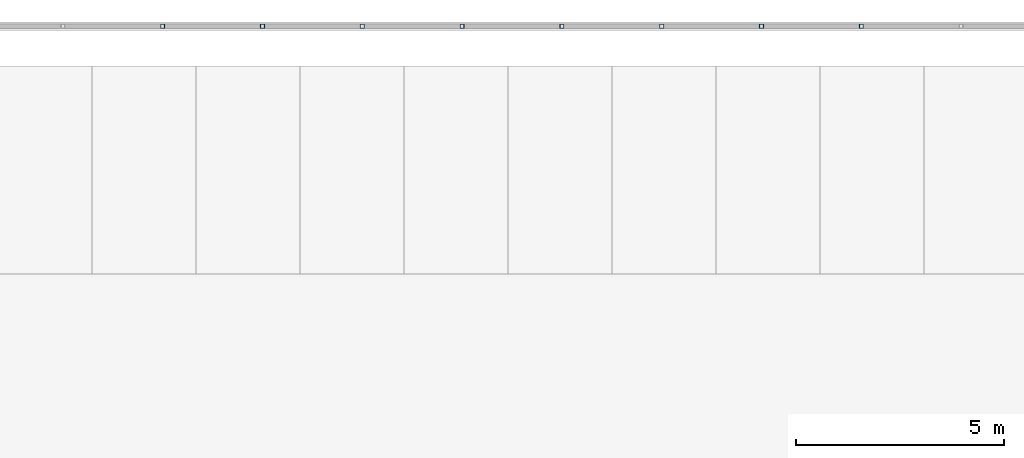
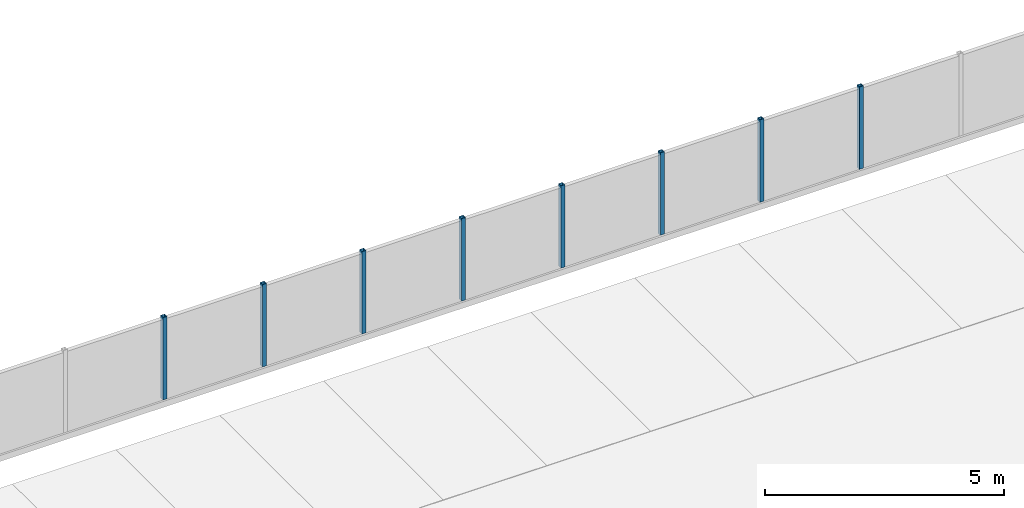
# One storey, part 27 of 129: 8 members.
"""IFC4 building model written with IfcOpenShell, lengths in metres."""

from ifc_helpers import new_model, si_unit, direction, frame, origin, origin_2d, place, context, subcontext, project, spatial, hollow_rectangle, extrude, material, material_profile, profile_set, type_object, element, save


model = new_model("IFC4")

# Units and contexts
model_context = context("Model", 3, precision=1e-05, world=origin(), true_north=direction((0.0, 1.0)))
body_context = subcontext(model_context, "Body", "Model", "MODEL_VIEW")
ifc_project = project(units=[si_unit("LENGTHUNIT", "METRE"), si_unit("AREAUNIT", "SQUARE_METRE"), si_unit("VOLUMEUNIT", "CUBIC_METRE"), si_unit("PLANEANGLEUNIT", "RADIAN"), si_unit("MASSUNIT", "GRAM", prefix="KILO")], contexts=[model_context])

# Site, building, storey
site_placement = place(None, origin())
site = spatial("IfcSite", under=ifc_project, at=site_placement, CompositionType="ELEMENT")
building_placement = place(site_placement, origin())
building = spatial("IfcBuilding", under=site, at=building_placement, Name="Kiln Court Media Centre", CompositionType="ELEMENT")
storey_placement = place(building_placement, origin())
storey = spatial("IfcBuildingStorey", under=building, at=storey_placement, Name="L00", CompositionType="ELEMENT", Elevation=0.0)

# Members
ifc_material = material(Name="Steel ASTM A500 Gr C", Category="steel")
ifc_material_profile = material_profile(ifc_material, hollow_rectangle(XDim=0.10009765625, YDim=0.10009765625, WallThickness=0.00634765625, at=origin_2d()), Name="SHS 100x100x6.3")
ifc_profile_set = profile_set([ifc_material_profile], Name="Steel ASTM A500 Gr C")
member_type = type_object("IfcMemberType", Name="Steel ASTM A500 Gr C fence post SHS 100x100x6.3", PredefinedType="USERDEFINED", material=ifc_profile_set)
for number, where, z_axis, x_axis, name in (
    (1, (84.0, 87.85009765625, -1.050048828125), (0.0, 0.0, 1.0), (1.0, 0.0, 0.0), "Fence post 34"),
    (2, (86.3984375, 87.85009765625, -1.050048828125), (0.0, 0.0, 1.0), (1.0, 0.0, 0.0), "Fence post 35"),
    (3, (88.797119140625, 87.85009765625, -1.050048828125), (0.0, 0.0, 1.0), (1.0, 0.0, 0.0), "Fence post 36"),
    (4, (91.195556640625, 87.85009765625, -1.050048828125), (0.0, 0.0, 1.0), (1.0, 0.0, 0.0), "Fence post 37"),
    (5, (93.593994140625, 87.85009765625, -1.050048828125), (0.0, 0.0, 1.0), (1.0, 0.0, 0.0), "Fence post 38"),
    (6, (95.992431640625, 87.85009765625, -1.050048828125), (0.0, 0.0, 1.0), (1.0, 0.0, 0.0), "Fence post 39"),
    (7, (98.390869140625, 87.85009765625, -1.050048828125), (0.0, 0.0, 1.0), (1.0, 0.0, 0.0), "Fence post 40"),
    (8, (100.789306640625, 87.85009765625, -1.050048828125), (0.0, 0.0, 1.0), (1.0, 0.0, 0.0), "Fence post 41"),
):
    element("IfcMember", number, at=place(storey_placement, frame(where, z_axis=z_axis, x_axis=x_axis)), inside=storey, type_object=member_type, Name=name, ObjectType="FENCE POST", PredefinedType="USERDEFINED", context=body_context, shape_type="SweptSolid", body=[
        extrude(hollow_rectangle(XDim=0.10009765625, YDim=0.10009765625, WallThickness=0.00634765625, at=origin_2d()), origin(), (0.0, 0.0, 1.0), 2.10009765625),
    ])

save(model, "model.ifc")
